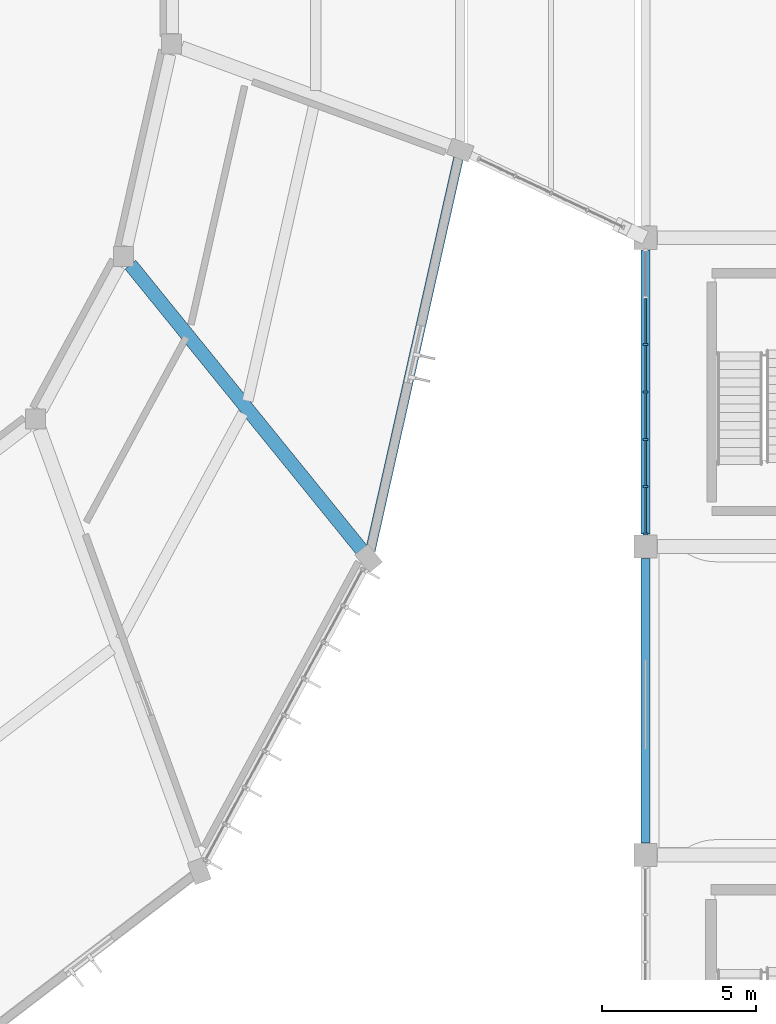
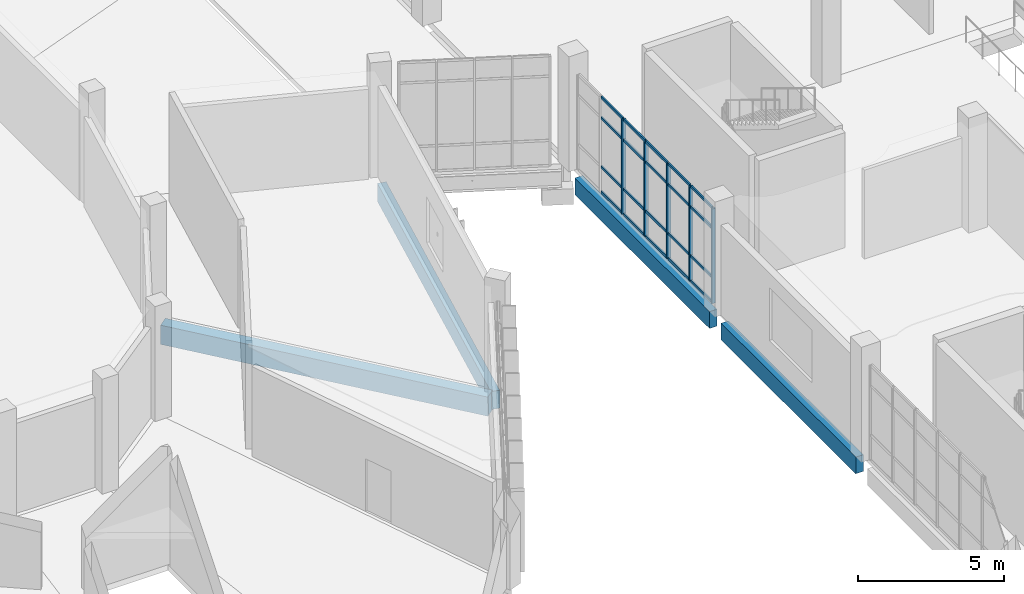
# One storey, part 54 of 179: 25 members, 4 beams, 1 element without a shape of its own.
"""IFC4 building model written with IfcOpenShell, lengths in metres."""

from ifc_helpers import new_model, si_unit, direction, frame, origin, origin_2d, place, context, subcontext, project, spatial, rectangle, extrude, material, layer, layer_set, material_profile, profile_set, type_object, element, aggregate, save


model = new_model("IFC4")

# Units and contexts
model_context = context("Model", 3, precision=1e-05, world=origin(), true_north=direction((0.0, 1.0)))
body_context = subcontext(model_context, "Body", "Model", "MODEL_VIEW")
ifc_project = project(units=[si_unit("LENGTHUNIT", "METRE"), si_unit("AREAUNIT", "SQUARE_METRE"), si_unit("VOLUMEUNIT", "CUBIC_METRE"), si_unit("PLANEANGLEUNIT", "RADIAN"), si_unit("MASSUNIT", "GRAM", prefix="KILO")], contexts=[model_context])

# Site, building, storey
site_placement = place(None, origin())
site = spatial("IfcSite", under=ifc_project, at=site_placement, CompositionType="ELEMENT")
building_placement = place(site_placement, origin())
building = spatial("IfcBuilding", under=site, at=building_placement, Name="Corvandel Quay Wholesale Market", CompositionType="ELEMENT")
storey_placement = place(building_placement, frame((0.0, 0.0, 6.0)))
storey = spatial("IfcBuildingStorey", under=building, at=storey_placement, Name="L01", CompositionType="ELEMENT", Elevation=6.0)

# Beam
ifc_material_1 = material(Name="Precast concrete C45/55", Category="concrete")
ifc_material_profile_1 = material_profile(ifc_material_1, rectangle(XDim=0.449951171875, YDim=0.800048828125, at=origin_2d()), Name="PC-GIR-450x800")
ifc_profile_set_1 = profile_set([ifc_material_profile_1], Name="Precast concrete C45/55")
beam_type_1 = type_object("IfcBeamType", Name="Auction Pavilion Girder G05 450x800", PredefinedType="USERDEFINED", material=ifc_profile_set_1)
beam_1_placement = place(storey_placement, frame((210.861083984375, 39.817626953125, -0.639892578125), z_axis=(-0.629749475171, 0.776798299768, 0.0), x_axis=(-0.776798299768, -0.629749475171, 0.0)))
element("IfcBeam", 1, at=beam_1_placement, inside=storey, type_object=beam_type_1, Name="Beam BM-0917", ObjectType="GIRDER", PredefinedType="USERDEFINED", context=body_context, shape_type="SweptSolid", body=[
    extrude(rectangle(XDim=0.449951171875, YDim=0.800048828125, at=origin_2d()), origin(), (0.0, 0.0, 1.0), 11.985595703125),
])

# Curtain wall, members
ifc_material_2 = material(Name="Bronze anodised aluminium and low-E insulated glazing", Category="aluminium")
ifc_layer = layer(ifc_material_2, 0.174072265625)
ifc_layer_set = layer_set([ifc_layer], Name="Bronze anodised aluminium and low-E insulated glazing")
curtain_wall_type = type_object("IfcCurtainWallType", Name="Stick Curtain Wall System CW22 H4980", PredefinedType="NOTDEFINED", material=ifc_layer_set)
curtain_wall_placement = place(storey_placement, origin())
curtain_wall = element("IfcCurtainWall", 2, at=curtain_wall_placement, inside=storey, type_object=curtain_wall_type, Name="Curtain Wall CW-0152", PredefinedType="NOTDEFINED")
ifc_material_3 = material(Name="Anodised aluminium 6063-T6", Category="aluminium")
ifc_material_profile_2 = material_profile(ifc_material_3, rectangle(XDim=0.06494140625, YDim=0.14990234375, at=origin_2d()), Name="ALU-MUL-65x150")
ifc_profile_set_2 = profile_set([ifc_material_profile_2], Name="Anodised aluminium 6063-T6")
member_type_1 = type_object("IfcMemberType", Name="Curtain Wall Mullion ML02 65x150", PredefinedType="MULLION", material=ifc_profile_set_2)
member_1_placement = place(storey_placement, frame((220.0, 40.39990234375, 0.0), z_axis=(0.0, 0.0, 1.0), x_axis=(0.0, 1.0, 0.0)))
member_1 = element("IfcMember", 3, at=member_1_placement, type_object=member_type_1, Name="Mullion CW-0152-M00", PredefinedType="MULLION", context=body_context, shape_type="SweptSolid", body=[
    extrude(rectangle(XDim=0.06494140625, YDim=0.14990234375, at=origin_2d()), origin(), (0.0, 0.0, 1.0), 3.949951171875),
])
member_2_placement = place(storey_placement, frame((220.0, 41.933349609375, 0.0), z_axis=(0.0, 0.0, 1.0), x_axis=(0.0, 1.0, 0.0)))
member_2 = element("IfcMember", 4, at=member_2_placement, type_object=member_type_1, Name="Mullion CW-0152-M01", PredefinedType="MULLION", context=body_context, shape_type="SweptSolid", body=[
    extrude(rectangle(XDim=0.06494140625, YDim=0.14990234375, at=origin_2d()), origin(), (0.0, 0.0, 1.0), 3.949951171875),
])
member_3_placement = place(storey_placement, frame((220.0, 43.466796875, 0.0), z_axis=(0.0, 0.0, 1.0), x_axis=(0.0, 1.0, 0.0)))
member_3 = element("IfcMember", 5, at=member_3_placement, type_object=member_type_1, Name="Mullion CW-0152-M02", PredefinedType="MULLION", context=body_context, shape_type="SweptSolid", body=[
    extrude(rectangle(XDim=0.06494140625, YDim=0.14990234375, at=origin_2d()), origin(), (0.0, 0.0, 1.0), 3.949951171875),
])
member_4_placement = place(storey_placement, frame((220.0, 45.0, 0.0), z_axis=(0.0, 0.0, 1.0), x_axis=(0.0, 1.0, 0.0)))
member_4 = element("IfcMember", 6, at=member_4_placement, type_object=member_type_1, Name="Mullion CW-0152-M03", PredefinedType="MULLION", context=body_context, shape_type="SweptSolid", body=[
    extrude(rectangle(XDim=0.06494140625, YDim=0.14990234375, at=origin_2d()), origin(), (0.0, 0.0, 1.0), 3.949951171875),
])
member_5_placement = place(storey_placement, frame((220.0, 46.533203125, 0.0), z_axis=(0.0, 0.0, 1.0), x_axis=(0.0, 1.0, 0.0)))
member_5 = element("IfcMember", 7, at=member_5_placement, type_object=member_type_1, Name="Mullion CW-0152-M04", PredefinedType="MULLION", context=body_context, shape_type="SweptSolid", body=[
    extrude(rectangle(XDim=0.06494140625, YDim=0.14990234375, at=origin_2d()), origin(), (0.0, 0.0, 1.0), 3.949951171875),
])
ifc_material_profile_3 = material_profile(ifc_material_3, rectangle(XDim=0.06005859375, YDim=0.110107421875, at=origin_2d()), Name="ALU-TRN-60x110")
ifc_profile_set_3 = profile_set([ifc_material_profile_3], Name="Anodised aluminium 6063-T6")
member_type_2 = type_object("IfcMemberType", Name="Curtain Wall Transom TR02 60x110", PredefinedType="USERDEFINED", material=ifc_profile_set_3)
member_6_placement = place(storey_placement, frame((220.0, 40.4326171875, 0.0), z_axis=(0.0, 1.0, 0.0), x_axis=(-1.0, 0.0, 0.0)))
member_6 = element("IfcMember", 8, at=member_6_placement, type_object=member_type_2, Name="Transom CW-0152-T00-0", ObjectType="TRANSOM", PredefinedType="USERDEFINED", context=body_context, shape_type="SweptSolid", body=[
    extrude(rectangle(XDim=0.06005859375, YDim=0.110107421875, at=origin_2d()), origin(), (0.0, 0.0, 1.0), 1.46826171875),
])
member_7_placement = place(storey_placement, frame((220.0, 40.4326171875, 1.050048828125), z_axis=(0.0, 1.0, 0.0), x_axis=(-1.0, 0.0, 0.0)))
member_7 = element("IfcMember", 9, at=member_7_placement, type_object=member_type_2, Name="Transom CW-0152-T00-1", ObjectType="TRANSOM", PredefinedType="USERDEFINED", context=body_context, shape_type="SweptSolid", body=[
    extrude(rectangle(XDim=0.06005859375, YDim=0.110107421875, at=origin_2d()), origin(), (0.0, 0.0, 1.0), 1.46826171875),
])
member_8_placement = place(storey_placement, frame((220.0, 40.4326171875, 3.10009765625), z_axis=(0.0, 1.0, 0.0), x_axis=(-1.0, 0.0, 0.0)))
member_8 = element("IfcMember", 10, at=member_8_placement, type_object=member_type_2, Name="Transom CW-0152-T00-2", ObjectType="TRANSOM", PredefinedType="USERDEFINED", context=body_context, shape_type="SweptSolid", body=[
    extrude(rectangle(XDim=0.06005859375, YDim=0.110107421875, at=origin_2d()), origin(), (0.0, 0.0, 1.0), 1.46826171875),
])
member_9_placement = place(storey_placement, frame((220.0, 40.4326171875, 3.949951171875), z_axis=(0.0, 1.0, 0.0), x_axis=(-1.0, 0.0, 0.0)))
member_9 = element("IfcMember", 11, at=member_9_placement, type_object=member_type_2, Name="Transom CW-0152-T00-3", ObjectType="TRANSOM", PredefinedType="USERDEFINED", context=body_context, shape_type="SweptSolid", body=[
    extrude(rectangle(XDim=0.06005859375, YDim=0.110107421875, at=origin_2d()), origin(), (0.0, 0.0, 1.0), 1.46826171875),
])
member_10_placement = place(storey_placement, frame((220.0, 41.9658203125, 0.0), z_axis=(0.0, 1.0, 0.0), x_axis=(-1.0, 0.0, 0.0)))
member_10 = element("IfcMember", 12, at=member_10_placement, type_object=member_type_2, Name="Transom CW-0152-T01-0", ObjectType="TRANSOM", PredefinedType="USERDEFINED", context=body_context, shape_type="SweptSolid", body=[
    extrude(rectangle(XDim=0.06005859375, YDim=0.110107421875, at=origin_2d()), origin(), (0.0, 0.0, 1.0), 1.46826171875),
])
member_11_placement = place(storey_placement, frame((220.0, 41.9658203125, 1.050048828125), z_axis=(0.0, 1.0, 0.0), x_axis=(-1.0, 0.0, 0.0)))
member_11 = element("IfcMember", 13, at=member_11_placement, type_object=member_type_2, Name="Transom CW-0152-T01-1", ObjectType="TRANSOM", PredefinedType="USERDEFINED", context=body_context, shape_type="SweptSolid", body=[
    extrude(rectangle(XDim=0.06005859375, YDim=0.110107421875, at=origin_2d()), origin(), (0.0, 0.0, 1.0), 1.46826171875),
])
member_12_placement = place(storey_placement, frame((220.0, 41.9658203125, 3.10009765625), z_axis=(0.0, 1.0, 0.0), x_axis=(-1.0, 0.0, 0.0)))
member_12 = element("IfcMember", 14, at=member_12_placement, type_object=member_type_2, Name="Transom CW-0152-T01-2", ObjectType="TRANSOM", PredefinedType="USERDEFINED", context=body_context, shape_type="SweptSolid", body=[
    extrude(rectangle(XDim=0.06005859375, YDim=0.110107421875, at=origin_2d()), origin(), (0.0, 0.0, 1.0), 1.46826171875),
])
member_13_placement = place(storey_placement, frame((220.0, 41.9658203125, 3.949951171875), z_axis=(0.0, 1.0, 0.0), x_axis=(-1.0, 0.0, 0.0)))
member_13 = element("IfcMember", 15, at=member_13_placement, type_object=member_type_2, Name="Transom CW-0152-T01-3", ObjectType="TRANSOM", PredefinedType="USERDEFINED", context=body_context, shape_type="SweptSolid", body=[
    extrude(rectangle(XDim=0.06005859375, YDim=0.110107421875, at=origin_2d()), origin(), (0.0, 0.0, 1.0), 1.46826171875),
])
member_14_placement = place(storey_placement, frame((220.0, 43.499267578125, 0.0), z_axis=(0.0, 1.0, 0.0), x_axis=(-1.0, 0.0, 0.0)))
member_14 = element("IfcMember", 16, at=member_14_placement, type_object=member_type_2, Name="Transom CW-0152-T02-0", ObjectType="TRANSOM", PredefinedType="USERDEFINED", context=body_context, shape_type="SweptSolid", body=[
    extrude(rectangle(XDim=0.06005859375, YDim=0.110107421875, at=origin_2d()), origin(), (0.0, 0.0, 1.0), 1.46826171875),
])
member_15_placement = place(storey_placement, frame((220.0, 43.499267578125, 1.050048828125), z_axis=(0.0, 1.0, 0.0), x_axis=(-1.0, 0.0, 0.0)))
member_15 = element("IfcMember", 17, at=member_15_placement, type_object=member_type_2, Name="Transom CW-0152-T02-1", ObjectType="TRANSOM", PredefinedType="USERDEFINED", context=body_context, shape_type="SweptSolid", body=[
    extrude(rectangle(XDim=0.06005859375, YDim=0.110107421875, at=origin_2d()), origin(), (0.0, 0.0, 1.0), 1.46826171875),
])
member_16_placement = place(storey_placement, frame((220.0, 43.499267578125, 3.10009765625), z_axis=(0.0, 1.0, 0.0), x_axis=(-1.0, 0.0, 0.0)))
member_16 = element("IfcMember", 18, at=member_16_placement, type_object=member_type_2, Name="Transom CW-0152-T02-2", ObjectType="TRANSOM", PredefinedType="USERDEFINED", context=body_context, shape_type="SweptSolid", body=[
    extrude(rectangle(XDim=0.06005859375, YDim=0.110107421875, at=origin_2d()), origin(), (0.0, 0.0, 1.0), 1.46826171875),
])
member_17_placement = place(storey_placement, frame((220.0, 43.499267578125, 3.949951171875), z_axis=(0.0, 1.0, 0.0), x_axis=(-1.0, 0.0, 0.0)))
member_17 = element("IfcMember", 19, at=member_17_placement, type_object=member_type_2, Name="Transom CW-0152-T02-3", ObjectType="TRANSOM", PredefinedType="USERDEFINED", context=body_context, shape_type="SweptSolid", body=[
    extrude(rectangle(XDim=0.06005859375, YDim=0.110107421875, at=origin_2d()), origin(), (0.0, 0.0, 1.0), 1.46826171875),
])
member_18_placement = place(storey_placement, frame((220.0, 45.032470703125, 0.0), z_axis=(0.0, 1.0, 0.0), x_axis=(-1.0, 0.0, 0.0)))
member_18 = element("IfcMember", 20, at=member_18_placement, type_object=member_type_2, Name="Transom CW-0152-T03-0", ObjectType="TRANSOM", PredefinedType="USERDEFINED", context=body_context, shape_type="SweptSolid", body=[
    extrude(rectangle(XDim=0.06005859375, YDim=0.110107421875, at=origin_2d()), origin(), (0.0, 0.0, 1.0), 1.46826171875),
])
member_19_placement = place(storey_placement, frame((220.0, 45.032470703125, 1.050048828125), z_axis=(0.0, 1.0, 0.0), x_axis=(-1.0, 0.0, 0.0)))
member_19 = element("IfcMember", 21, at=member_19_placement, type_object=member_type_2, Name="Transom CW-0152-T03-1", ObjectType="TRANSOM", PredefinedType="USERDEFINED", context=body_context, shape_type="SweptSolid", body=[
    extrude(rectangle(XDim=0.06005859375, YDim=0.110107421875, at=origin_2d()), origin(), (0.0, 0.0, 1.0), 1.46826171875),
])
member_20_placement = place(storey_placement, frame((220.0, 45.032470703125, 3.10009765625), z_axis=(0.0, 1.0, 0.0), x_axis=(-1.0, 0.0, 0.0)))
member_20 = element("IfcMember", 22, at=member_20_placement, type_object=member_type_2, Name="Transom CW-0152-T03-2", ObjectType="TRANSOM", PredefinedType="USERDEFINED", context=body_context, shape_type="SweptSolid", body=[
    extrude(rectangle(XDim=0.06005859375, YDim=0.110107421875, at=origin_2d()), origin(), (0.0, 0.0, 1.0), 1.46826171875),
])
member_21_placement = place(storey_placement, frame((220.0, 45.032470703125, 3.949951171875), z_axis=(0.0, 1.0, 0.0), x_axis=(-1.0, 0.0, 0.0)))
member_21 = element("IfcMember", 23, at=member_21_placement, type_object=member_type_2, Name="Transom CW-0152-T03-3", ObjectType="TRANSOM", PredefinedType="USERDEFINED", context=body_context, shape_type="SweptSolid", body=[
    extrude(rectangle(XDim=0.06005859375, YDim=0.110107421875, at=origin_2d()), origin(), (0.0, 0.0, 1.0), 1.46826171875),
])
member_22_placement = place(storey_placement, frame((220.0, 46.56591796875, 0.0), z_axis=(0.0, 1.0, 0.0), x_axis=(-1.0, 0.0, 0.0)))
member_22 = element("IfcMember", 24, at=member_22_placement, type_object=member_type_2, Name="Transom CW-0152-T04-0", ObjectType="TRANSOM", PredefinedType="USERDEFINED", context=body_context, shape_type="SweptSolid", body=[
    extrude(rectangle(XDim=0.06005859375, YDim=0.110107421875, at=origin_2d()), origin(), (0.0, 0.0, 1.0), 1.46826171875),
])
member_23_placement = place(storey_placement, frame((220.0, 46.56591796875, 1.050048828125), z_axis=(0.0, 1.0, 0.0), x_axis=(-1.0, 0.0, 0.0)))
member_23 = element("IfcMember", 25, at=member_23_placement, type_object=member_type_2, Name="Transom CW-0152-T04-1", ObjectType="TRANSOM", PredefinedType="USERDEFINED", context=body_context, shape_type="SweptSolid", body=[
    extrude(rectangle(XDim=0.06005859375, YDim=0.110107421875, at=origin_2d()), origin(), (0.0, 0.0, 1.0), 1.46826171875),
])
member_24_placement = place(storey_placement, frame((220.0, 46.56591796875, 3.10009765625), z_axis=(0.0, 1.0, 0.0), x_axis=(-1.0, 0.0, 0.0)))
member_24 = element("IfcMember", 26, at=member_24_placement, type_object=member_type_2, Name="Transom CW-0152-T04-2", ObjectType="TRANSOM", PredefinedType="USERDEFINED", context=body_context, shape_type="SweptSolid", body=[
    extrude(rectangle(XDim=0.06005859375, YDim=0.110107421875, at=origin_2d()), origin(), (0.0, 0.0, 1.0), 1.46826171875),
])
member_25_placement = place(storey_placement, frame((220.0, 46.56591796875, 3.949951171875), z_axis=(0.0, 1.0, 0.0), x_axis=(-1.0, 0.0, 0.0)))
member_25 = element("IfcMember", 27, at=member_25_placement, type_object=member_type_2, Name="Transom CW-0152-T04-3", ObjectType="TRANSOM", PredefinedType="USERDEFINED", context=body_context, shape_type="SweptSolid", body=[
    extrude(rectangle(XDim=0.06005859375, YDim=0.110107421875, at=origin_2d()), origin(), (0.0, 0.0, 1.0), 1.46826171875),
])
aggregate(curtain_wall, [member_1, member_2, member_3, member_4, member_5, member_6, member_7, member_8, member_9, member_10, member_11, member_12, member_13, member_14, member_15, member_16, member_17, member_18, member_19, member_20, member_21, member_22, member_23, member_24, member_25])

# Beams
ifc_material_profile_4 = material_profile(ifc_material_1, rectangle(XDim=0.320068359375, YDim=0.75, at=origin_2d()), Name="PC-SPN-320x750")
ifc_profile_set_4 = profile_set([ifc_material_profile_4], Name="Precast concrete C45/55")
beam_type_2 = type_object("IfcBeamType", Name="Pavilion Precast Spandrel SP02 320x750", PredefinedType="SPANDREL", material=ifc_profile_set_4)
beam_2_placement = place(storey_placement, frame((211.090087890625, 39.871337890625, -0.614990234375), z_axis=(0.218953092988, 0.975735385784, 0.0), x_axis=(-0.975735385784, 0.218953092988, 0.0)))
element("IfcBeam", 28, at=beam_2_placement, inside=storey, type_object=beam_type_2, Name="Beam BM-0915", PredefinedType="SPANDREL", context=body_context, shape_type="SweptSolid", body=[
    extrude(rectangle(XDim=0.320068359375, YDim=0.75, at=origin_2d()), origin(), (0.0, 0.0, 1.0), 13.020263671875),
])
ifc_material_profile_5 = material_profile(ifc_material_1, rectangle(XDim=0.300048828125, YDim=0.699951171875, at=origin_2d()), Name="PC-SPN-300x700")
ifc_profile_set_5 = profile_set([ifc_material_profile_5], Name="Precast concrete C45/55")
beam_type_3 = type_object("IfcBeamType", Name="Terrace Edge Spandrel SP03 300x700", PredefinedType="SPANDREL", material=ifc_profile_set_5)
for number, where, z_axis, x_axis, name in (
    (29, (220.0, 30.39501953125, -0.669921875), (0.0, 1.0, 0.0), (-1.0, 0.0, 0.0), "Beam BM-1441"),
    (30, (220.0, 40.39501953125, -0.669921875), (0.0, 1.0, 0.0), (-1.0, 0.0, 0.0), "Beam BM-1442"),
):
    element("IfcBeam", number, at=place(storey_placement, frame(where, z_axis=z_axis, x_axis=x_axis)), inside=storey, type_object=beam_type_3, Name=name, PredefinedType="SPANDREL", context=body_context, shape_type="SweptSolid", body=[
        extrude(rectangle(XDim=0.300048828125, YDim=0.699951171875, at=origin_2d()), origin(), (0.0, 0.0, 1.0), 9.2099609375),
    ])

save(model, "model.ifc")
